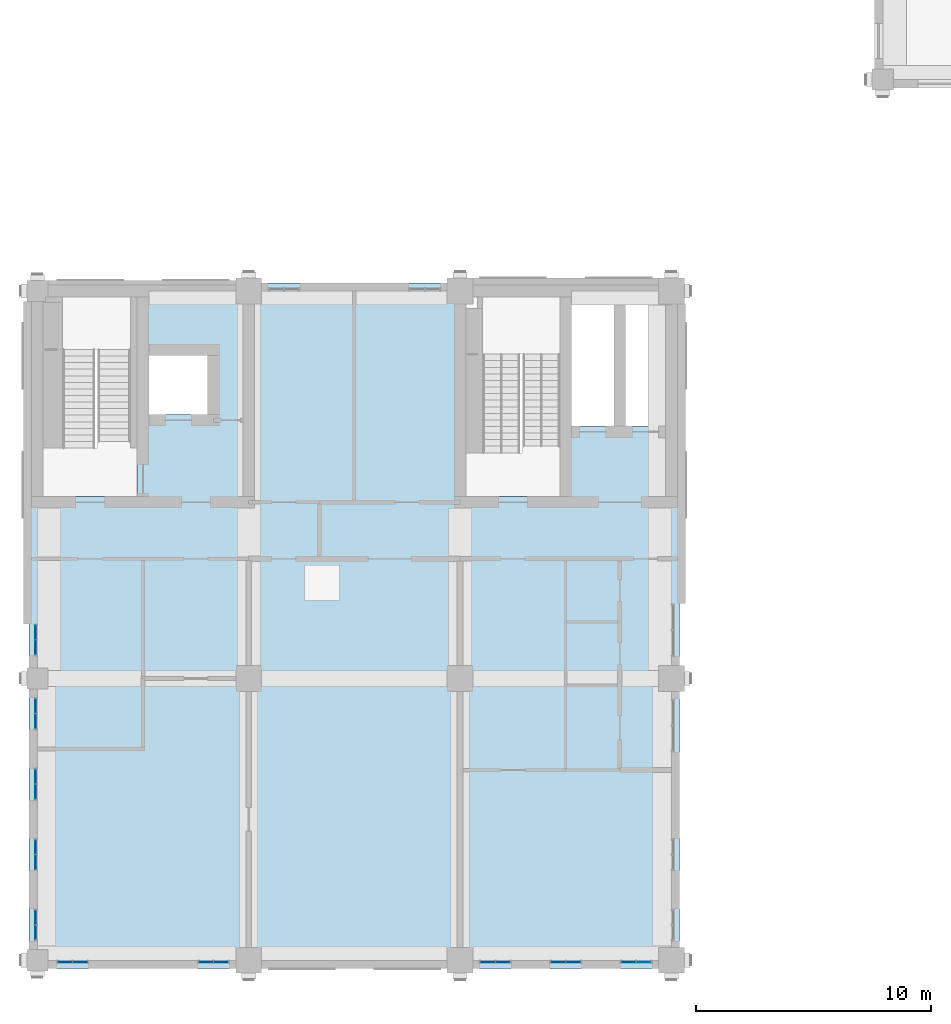
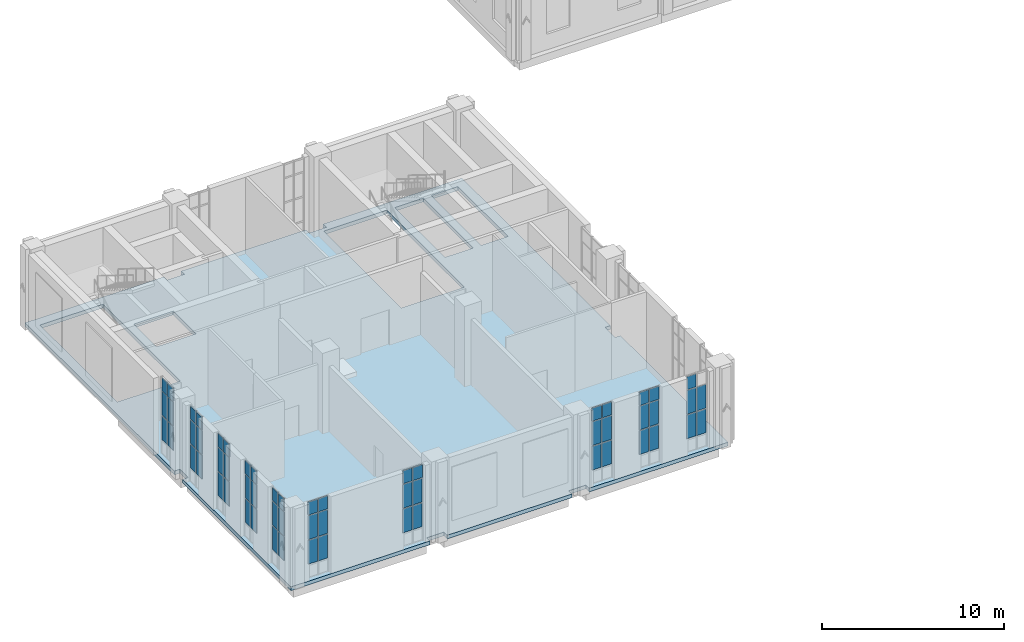
# One storey, part 17 of 39: 59 plates, 1 slab, 10 elements without a shape of their own.
"""IFC4 building model written with IfcOpenShell, lengths in metres."""

from ifc_helpers import new_model, si_unit, direction, frame, origin, origin_2d, place, context, subcontext, project, spatial, polyline, rectangle, outline, extrude, material, layer, layer_set, type_object, element, aggregate, save


model = new_model("IFC4")

# Units and contexts
model_context = context("Model", 3, precision=1e-05, world=origin(), true_north=direction((0.0, 1.0)))
body_context = subcontext(model_context, "Body", "Model", "MODEL_VIEW")
ifc_project = project(units=[si_unit("LENGTHUNIT", "METRE"), si_unit("AREAUNIT", "SQUARE_METRE"), si_unit("VOLUMEUNIT", "CUBIC_METRE"), si_unit("PLANEANGLEUNIT", "RADIAN"), si_unit("MASSUNIT", "GRAM", prefix="KILO")], contexts=[model_context])

# Site, building, storey
site_placement = place(None, origin())
site = spatial("IfcSite", under=ifc_project, at=site_placement, CompositionType="ELEMENT")
building_placement = place(site_placement, origin())
building = spatial("IfcBuilding", under=site, at=building_placement, Name="Aurelan Courthouse", CompositionType="ELEMENT")
storey_placement = place(building_placement, frame((0.0, 0.0, 28.199951171875)))
storey = spatial("IfcBuildingStorey", under=building, at=storey_placement, Name="L05", CompositionType="ELEMENT", Elevation=28.199951171875)

# Curtain wall, plates
ifc_material_1 = material(Name="Bronze-finished aluminium and glass", Category="aluminium")
ifc_layer_1 = layer(ifc_material_1, 0.14990234375)
ifc_layer_set_1 = layer_set([ifc_layer_1], Name="Bronze-finished aluminium and glass")
curtain_wall_type = type_object("IfcCurtainWallType", Name="Curtain wall 1350 x 5150", PredefinedType="NOTDEFINED", material=ifc_layer_set_1)
curtain_wall_1_placement = place(storey_placement, origin())
curtain_wall_1 = element("IfcCurtainWall", 1, at=curtain_wall_1_placement, inside=storey, type_object=curtain_wall_type, Name="Curtain wall CW-V5-L05-S01", PredefinedType="NOTDEFINED")
ifc_material_2 = material(Name="Limestone cladding", Category="masonry")
ifc_layer_2 = layer(ifc_material_2, 0.0400390625, Name="Facing")
ifc_material_3 = material(Name="Bronze sheet cladding", Category="bronze")
ifc_layer_3 = layer(ifc_material_3, 0.02001953125, Name="Back sheet")
ifc_layer_set_2 = layer_set([ifc_layer_2, ifc_layer_3], Name="Limestone cladding")
plate_type_1 = type_object("IfcPlateType", Name="Limestone spandrel panel with bronze back sheet 60", PredefinedType="CURTAIN_PANEL", material=ifc_layer_set_2)
plate_1_placement = place(storey_placement, frame((1.177490234375, -0.074951171875, 4.22998046875), z_axis=(0.0, 0.0, 1.0), x_axis=(1.0, 0.0, 0.0)))
plate_1 = element("IfcPlate", 2, at=plate_1_placement, type_object=plate_type_1, Name="CW-V5-L05-S01 spandrel panel 1.4", PredefinedType="CURTAIN_PANEL", context=body_context, shape_type="SweptSolid", body=[
    extrude(rectangle(XDim=0.5849609375, YDim=0.06005859375, at=origin_2d()), origin(), (0.0, 0.0, 1.0), 0.860107421875),
])
plate_2_placement = place(storey_placement, frame((1.822509765625, -0.074951171875, 4.22998046875), z_axis=(0.0, 0.0, 1.0), x_axis=(1.0, 0.0, 0.0)))
plate_2 = element("IfcPlate", 3, at=plate_2_placement, type_object=plate_type_1, Name="CW-V5-L05-S01 spandrel panel 2.4", PredefinedType="CURTAIN_PANEL", context=body_context, shape_type="SweptSolid", body=[
    extrude(rectangle(XDim=0.5849609375, YDim=0.06005859375, at=origin_2d()), origin(), (0.0, 0.0, 1.0), 0.860107421875),
])

curtain_wall_2_placement = place(storey_placement, origin())
curtain_wall_2 = element("IfcCurtainWall", 4, at=curtain_wall_2_placement, inside=storey, type_object=curtain_wall_type, Name="Curtain wall CW-V5-L05-S02", PredefinedType="NOTDEFINED")
plate_3_placement = place(storey_placement, frame((7.177490234375, -0.074951171875, 4.22998046875), z_axis=(0.0, 0.0, 1.0), x_axis=(1.0, 0.0, 0.0)))
plate_3 = element("IfcPlate", 5, at=plate_3_placement, type_object=plate_type_1, Name="CW-V5-L05-S02 spandrel panel 1.4", PredefinedType="CURTAIN_PANEL", context=body_context, shape_type="SweptSolid", body=[
    extrude(rectangle(XDim=0.5849609375, YDim=0.06005859375, at=origin_2d()), origin(), (0.0, 0.0, 1.0), 0.860107421875),
])
plate_4_placement = place(storey_placement, frame((7.822509765625, -0.074951171875, 4.22998046875), z_axis=(0.0, 0.0, 1.0), x_axis=(1.0, 0.0, 0.0)))
plate_4 = element("IfcPlate", 6, at=plate_4_placement, type_object=plate_type_1, Name="CW-V5-L05-S02 spandrel panel 2.4", PredefinedType="CURTAIN_PANEL", context=body_context, shape_type="SweptSolid", body=[
    extrude(rectangle(XDim=0.5849609375, YDim=0.06005859375, at=origin_2d()), origin(), (0.0, 0.0, 1.0), 0.860107421875),
])

curtain_wall_3_placement = place(storey_placement, origin())
curtain_wall_3 = element("IfcCurtainWall", 7, at=curtain_wall_3_placement, inside=storey, type_object=curtain_wall_type, Name="Curtain wall CW-V5-L05-S03", PredefinedType="NOTDEFINED")
plate_5_placement = place(storey_placement, frame((19.177490234375, -0.074951171875, 4.22998046875), z_axis=(0.0, 0.0, 1.0), x_axis=(1.0, 0.0, 0.0)))
plate_5 = element("IfcPlate", 8, at=plate_5_placement, type_object=plate_type_1, Name="CW-V5-L05-S03 spandrel panel 1.4", PredefinedType="CURTAIN_PANEL", context=body_context, shape_type="SweptSolid", body=[
    extrude(rectangle(XDim=0.5849609375, YDim=0.06005859375, at=origin_2d()), origin(), (0.0, 0.0, 1.0), 0.860107421875),
])
plate_6_placement = place(storey_placement, frame((19.822509765625, -0.074951171875, 4.22998046875), z_axis=(0.0, 0.0, 1.0), x_axis=(1.0, 0.0, 0.0)))
plate_6 = element("IfcPlate", 9, at=plate_6_placement, type_object=plate_type_1, Name="CW-V5-L05-S03 spandrel panel 2.4", PredefinedType="CURTAIN_PANEL", context=body_context, shape_type="SweptSolid", body=[
    extrude(rectangle(XDim=0.5849609375, YDim=0.06005859375, at=origin_2d()), origin(), (0.0, 0.0, 1.0), 0.860107421875),
])

curtain_wall_4_placement = place(storey_placement, origin())
curtain_wall_4 = element("IfcCurtainWall", 10, at=curtain_wall_4_placement, inside=storey, type_object=curtain_wall_type, Name="Curtain wall CW-V5-L05-S04", PredefinedType="NOTDEFINED")
plate_7_placement = place(storey_placement, frame((22.177490234375, -0.074951171875, 4.22998046875), z_axis=(0.0, 0.0, 1.0), x_axis=(1.0, 0.0, 0.0)))
plate_7 = element("IfcPlate", 11, at=plate_7_placement, type_object=plate_type_1, Name="CW-V5-L05-S04 spandrel panel 1.4", PredefinedType="CURTAIN_PANEL", context=body_context, shape_type="SweptSolid", body=[
    extrude(rectangle(XDim=0.5849609375, YDim=0.06005859375, at=origin_2d()), origin(), (0.0, 0.0, 1.0), 0.860107421875),
])
plate_8_placement = place(storey_placement, frame((22.822509765625, -0.074951171875, 4.22998046875), z_axis=(0.0, 0.0, 1.0), x_axis=(1.0, 0.0, 0.0)))
plate_8 = element("IfcPlate", 12, at=plate_8_placement, type_object=plate_type_1, Name="CW-V5-L05-S04 spandrel panel 2.4", PredefinedType="CURTAIN_PANEL", context=body_context, shape_type="SweptSolid", body=[
    extrude(rectangle(XDim=0.5849609375, YDim=0.06005859375, at=origin_2d()), origin(), (0.0, 0.0, 1.0), 0.860107421875),
])

# Curtain wall, plate
curtain_wall_5_placement = place(storey_placement, origin())
curtain_wall_5 = element("IfcCurtainWall", 13, at=curtain_wall_5_placement, inside=storey, type_object=curtain_wall_type, Name="Curtain wall CW-V5-L05-S05", PredefinedType="NOTDEFINED")
plate_9_placement = place(storey_placement, frame((25.177490234375, -0.074951171875, 4.22998046875), z_axis=(0.0, 0.0, 1.0), x_axis=(1.0, 0.0, 0.0)))
plate_9 = element("IfcPlate", 14, at=plate_9_placement, type_object=plate_type_1, Name="CW-V5-L05-S05 spandrel panel 1.4", PredefinedType="CURTAIN_PANEL", context=body_context, shape_type="SweptSolid", body=[
    extrude(rectangle(XDim=0.5849609375, YDim=0.06005859375, at=origin_2d()), origin(), (0.0, 0.0, 1.0), 0.860107421875),
])

# Curtain wall, plates
curtain_wall_6_placement = place(storey_placement, origin())
curtain_wall_6 = element("IfcCurtainWall", 15, at=curtain_wall_6_placement, inside=storey, type_object=curtain_wall_type, Name="Curtain wall CW-V5-L05-W01", PredefinedType="NOTDEFINED")
plate_10_placement = place(storey_placement, frame((-0.074951171875, 1.177490234375, 4.22998046875), z_axis=(0.0, 0.0, 1.0), x_axis=(0.0, 1.0, 0.0)))
plate_10 = element("IfcPlate", 16, at=plate_10_placement, type_object=plate_type_1, Name="CW-V5-L05-W01 spandrel panel 1.4", PredefinedType="CURTAIN_PANEL", context=body_context, shape_type="SweptSolid", body=[
    extrude(rectangle(XDim=0.5849609375, YDim=0.06005859375, at=origin_2d()), origin(), (0.0, 0.0, 1.0), 0.860107421875),
])
plate_11_placement = place(storey_placement, frame((-0.074951171875, 1.822509765625, 4.22998046875), z_axis=(0.0, 0.0, 1.0), x_axis=(0.0, 1.0, 0.0)))
plate_11 = element("IfcPlate", 17, at=plate_11_placement, type_object=plate_type_1, Name="CW-V5-L05-W01 spandrel panel 2.4", PredefinedType="CURTAIN_PANEL", context=body_context, shape_type="SweptSolid", body=[
    extrude(rectangle(XDim=0.5849609375, YDim=0.06005859375, at=origin_2d()), origin(), (0.0, 0.0, 1.0), 0.860107421875),
])

curtain_wall_7_placement = place(storey_placement, origin())
curtain_wall_7 = element("IfcCurtainWall", 18, at=curtain_wall_7_placement, inside=storey, type_object=curtain_wall_type, Name="Curtain wall CW-V5-L05-W02", PredefinedType="NOTDEFINED")
plate_12_placement = place(storey_placement, frame((-0.074951171875, 4.177490234375, 4.22998046875), z_axis=(0.0, 0.0, 1.0), x_axis=(0.0, 1.0, 0.0)))
plate_12 = element("IfcPlate", 19, at=plate_12_placement, type_object=plate_type_1, Name="CW-V5-L05-W02 spandrel panel 1.4", PredefinedType="CURTAIN_PANEL", context=body_context, shape_type="SweptSolid", body=[
    extrude(rectangle(XDim=0.5849609375, YDim=0.06005859375, at=origin_2d()), origin(), (0.0, 0.0, 1.0), 0.860107421875),
])
plate_13_placement = place(storey_placement, frame((-0.074951171875, 4.822509765625, 4.22998046875), z_axis=(0.0, 0.0, 1.0), x_axis=(0.0, 1.0, 0.0)))
plate_13 = element("IfcPlate", 20, at=plate_13_placement, type_object=plate_type_1, Name="CW-V5-L05-W02 spandrel panel 2.4", PredefinedType="CURTAIN_PANEL", context=body_context, shape_type="SweptSolid", body=[
    extrude(rectangle(XDim=0.5849609375, YDim=0.06005859375, at=origin_2d()), origin(), (0.0, 0.0, 1.0), 0.860107421875),
])

curtain_wall_8_placement = place(storey_placement, origin())
curtain_wall_8 = element("IfcCurtainWall", 21, at=curtain_wall_8_placement, inside=storey, type_object=curtain_wall_type, Name="Curtain wall CW-V5-L05-W03", PredefinedType="NOTDEFINED")
plate_14_placement = place(storey_placement, frame((-0.074951171875, 7.177490234375, 4.22998046875), z_axis=(0.0, 0.0, 1.0), x_axis=(0.0, 1.0, 0.0)))
plate_14 = element("IfcPlate", 22, at=plate_14_placement, type_object=plate_type_1, Name="CW-V5-L05-W03 spandrel panel 1.4", PredefinedType="CURTAIN_PANEL", context=body_context, shape_type="SweptSolid", body=[
    extrude(rectangle(XDim=0.5849609375, YDim=0.06005859375, at=origin_2d()), origin(), (0.0, 0.0, 1.0), 0.860107421875),
])
plate_15_placement = place(storey_placement, frame((-0.074951171875, 7.822509765625, 4.22998046875), z_axis=(0.0, 0.0, 1.0), x_axis=(0.0, 1.0, 0.0)))
plate_15 = element("IfcPlate", 23, at=plate_15_placement, type_object=plate_type_1, Name="CW-V5-L05-W03 spandrel panel 2.4", PredefinedType="CURTAIN_PANEL", context=body_context, shape_type="SweptSolid", body=[
    extrude(rectangle(XDim=0.5849609375, YDim=0.06005859375, at=origin_2d()), origin(), (0.0, 0.0, 1.0), 0.860107421875),
])

curtain_wall_9_placement = place(storey_placement, origin())
curtain_wall_9 = element("IfcCurtainWall", 24, at=curtain_wall_9_placement, inside=storey, type_object=curtain_wall_type, Name="Curtain wall CW-V5-L05-W04", PredefinedType="NOTDEFINED")
plate_16_placement = place(storey_placement, frame((-0.074951171875, 10.177490234375, 4.22998046875), z_axis=(0.0, 0.0, 1.0), x_axis=(0.0, 1.0, 0.0)))
plate_16 = element("IfcPlate", 25, at=plate_16_placement, type_object=plate_type_1, Name="CW-V5-L05-W04 spandrel panel 1.4", PredefinedType="CURTAIN_PANEL", context=body_context, shape_type="SweptSolid", body=[
    extrude(rectangle(XDim=0.5849609375, YDim=0.06005859375, at=origin_2d()), origin(), (0.0, 0.0, 1.0), 0.860107421875),
])
plate_17_placement = place(storey_placement, frame((-0.074951171875, 10.822509765625, 4.22998046875), z_axis=(0.0, 0.0, 1.0), x_axis=(0.0, 1.0, 0.0)))
plate_17 = element("IfcPlate", 26, at=plate_17_placement, type_object=plate_type_1, Name="CW-V5-L05-W04 spandrel panel 2.4", PredefinedType="CURTAIN_PANEL", context=body_context, shape_type="SweptSolid", body=[
    extrude(rectangle(XDim=0.5849609375, YDim=0.06005859375, at=origin_2d()), origin(), (0.0, 0.0, 1.0), 0.860107421875),
])

curtain_wall_10_placement = place(storey_placement, origin())
curtain_wall_10 = element("IfcCurtainWall", 27, at=curtain_wall_10_placement, inside=storey, type_object=curtain_wall_type, Name="Curtain wall CW-V5-L05-W05", PredefinedType="NOTDEFINED")
plate_18_placement = place(storey_placement, frame((-0.074951171875, 13.327392578125, 4.22998046875), z_axis=(0.0, 0.0, 1.0), x_axis=(0.0, 1.0, 0.0)))
plate_18 = element("IfcPlate", 28, at=plate_18_placement, type_object=plate_type_1, Name="CW-V5-L05-W05 spandrel panel 1.4", PredefinedType="CURTAIN_PANEL", context=body_context, shape_type="SweptSolid", body=[
    extrude(rectangle(XDim=0.5849609375, YDim=0.06005859375, at=origin_2d()), origin(), (0.0, 0.0, 1.0), 0.860107421875),
])
plate_19_placement = place(storey_placement, frame((-0.074951171875, 13.972412109375, 4.22998046875), z_axis=(0.0, 0.0, 1.0), x_axis=(0.0, 1.0, 0.0)))
plate_19 = element("IfcPlate", 29, at=plate_19_placement, type_object=plate_type_1, Name="CW-V5-L05-W05 spandrel panel 2.4", PredefinedType="CURTAIN_PANEL", context=body_context, shape_type="SweptSolid", body=[
    extrude(rectangle(XDim=0.5849609375, YDim=0.06005859375, at=origin_2d()), origin(), (0.0, 0.0, 1.0), 0.860107421875),
])

# Slab
ifc_material_4 = material(Name="Concrete C40", Category="concrete")
ifc_layer_4 = layer(ifc_material_4, 0.25)
ifc_layer_set_3 = layer_set([ifc_layer_4], Name="Concrete C40")
slab_type = type_object("IfcSlabType", Name="PT floor slab 250", PredefinedType="FLOOR", material=ifc_layer_set_3)
slab_placement = place(storey_placement, frame((0.0, 0.0, -0.25)))
element("IfcSlab", 30, at=slab_placement, inside=storey, type_object=slab_type, Name="Floor slab SL-L05-03", PredefinedType="FLOOR", context=body_context, shape_type="SweptSolid", body=[
    extrude(outline(polyline([(0.0, 12.449951171875), (0.0, 11.550048828125), (-0.35009765625, 11.550048828125), (-0.35009765625, 0.449951171875), (-0.35009765625, -0.35009765625), (0.449951171875, -0.35009765625), (8.449951171875, -0.35009765625), (8.449951171875, 0.0), (9.550048828125, 0.0), (9.550048828125, -0.35009765625), (17.449951171875, -0.35009765625), (17.449951171875, 0.0), (18.550048828125, 0.0), (18.550048828125, -0.35009765625), (26.449951171875, -0.35009765625), (27.35009765625, -0.35009765625), (27.35009765625, 0.550048828125), (27.35009765625, 11.449951171875), (27.0, 11.449951171875), (27.0, 12.550048828125), (27.35009765625, 12.550048828125), (27.35009765625, 27.949951171875), (27.35009765625, 28.85009765625), (26.449951171875, 28.85009765625), (18.550048828125, 28.85009765625), (18.550048828125, 28.5), (17.449951171875, 28.5), (17.449951171875, 28.85009765625), (9.550048828125, 28.85009765625), (9.550048828125, 28.5), (8.449951171875, 28.5), (8.449951171875, 28.85009765625), (0.449951171875, 28.85009765625), (-0.35009765625, 28.85009765625), (-0.35009765625, 28.050048828125), (-0.35009765625, 12.449951171875), (0.0, 12.449951171875)]), holes=[polyline([(26.75, 28.25), (26.75, 22.75), (25.050048828125, 22.75), (25.050048828125, 28.25), (26.75, 28.25)]), polyline([(22.75, 28.25), (24.550048828125, 28.25), (24.550048828125, 22.75), (22.75, 22.75), (22.75, 28.25)]), polyline([(22.25, 28.25), (22.25, 19.75), (18.25, 19.75), (18.25, 28.25), (22.25, 28.25)]), polyline([(4.75, 23.25), (4.75, 25.75), (7.25, 25.75), (7.25, 23.25), (4.75, 23.25)]), polyline([(4.25, 19.75), (0.25, 19.75), (0.25, 28.25), (4.25, 28.25), (4.25, 19.75)])]), origin(), (0.0, 0.0, 1.0), 0.25),
])

# Plate
ifc_material_5 = material(Name="Laminated low-emissivity glass", Category="glass")
ifc_layer_5 = layer(ifc_material_5, 0.028076171875)
ifc_layer_set_4 = layer_set([ifc_layer_5], Name="Laminated low-emissivity glass")
plate_type_2 = type_object("IfcPlateType", Name="Vision glass panel 28", PredefinedType="CURTAIN_PANEL", material=ifc_layer_set_4)
plate_20_placement = place(storey_placement, frame((1.177490234375, -0.074951171875, 0.93017578125), z_axis=(0.0, 0.0, 1.0), x_axis=(1.0, 0.0, 0.0)))
plate_20 = element("IfcPlate", 31, at=plate_20_placement, type_object=plate_type_2, Name="CW-V5-L05-S01 vision panel 1.2", PredefinedType="CURTAIN_PANEL", context=body_context, shape_type="SweptSolid", body=[
    extrude(rectangle(XDim=0.5849609375, YDim=0.028076171875, at=origin_2d()), origin(), (0.0, 0.0, 1.0), 1.590087890625),
])

plate_21_placement = place(storey_placement, frame((1.177490234375, -0.074951171875, 2.580078125), z_axis=(0.0, 0.0, 1.0), x_axis=(1.0, 0.0, 0.0)))
plate_21 = element("IfcPlate", 32, at=plate_21_placement, type_object=plate_type_2, Name="CW-V5-L05-S01 vision panel 1.3", PredefinedType="CURTAIN_PANEL", context=body_context, shape_type="SweptSolid", body=[
    extrude(rectangle(XDim=0.5849609375, YDim=0.028076171875, at=origin_2d()), origin(), (0.0, 0.0, 1.0), 1.590087890625),
])

plate_22_placement = place(storey_placement, frame((1.822509765625, -0.074951171875, 0.93017578125), z_axis=(0.0, 0.0, 1.0), x_axis=(1.0, 0.0, 0.0)))
plate_22 = element("IfcPlate", 33, at=plate_22_placement, type_object=plate_type_2, Name="CW-V5-L05-S01 vision panel 2.2", PredefinedType="CURTAIN_PANEL", context=body_context, shape_type="SweptSolid", body=[
    extrude(rectangle(XDim=0.5849609375, YDim=0.028076171875, at=origin_2d()), origin(), (0.0, 0.0, 1.0), 1.590087890625),
])

plate_23_placement = place(storey_placement, frame((1.822509765625, -0.074951171875, 2.580078125), z_axis=(0.0, 0.0, 1.0), x_axis=(1.0, 0.0, 0.0)))
plate_23 = element("IfcPlate", 34, at=plate_23_placement, type_object=plate_type_2, Name="CW-V5-L05-S01 vision panel 2.3", PredefinedType="CURTAIN_PANEL", context=body_context, shape_type="SweptSolid", body=[
    extrude(rectangle(XDim=0.5849609375, YDim=0.028076171875, at=origin_2d()), origin(), (0.0, 0.0, 1.0), 1.590087890625),
])

aggregate(curtain_wall_1, [plate_20, plate_21, plate_1, plate_22, plate_23, plate_2])

plate_24_placement = place(storey_placement, frame((7.177490234375, -0.074951171875, 0.93017578125), z_axis=(0.0, 0.0, 1.0), x_axis=(1.0, 0.0, 0.0)))
plate_24 = element("IfcPlate", 35, at=plate_24_placement, type_object=plate_type_2, Name="CW-V5-L05-S02 vision panel 1.2", PredefinedType="CURTAIN_PANEL", context=body_context, shape_type="SweptSolid", body=[
    extrude(rectangle(XDim=0.5849609375, YDim=0.028076171875, at=origin_2d()), origin(), (0.0, 0.0, 1.0), 1.590087890625),
])

plate_25_placement = place(storey_placement, frame((7.177490234375, -0.074951171875, 2.580078125), z_axis=(0.0, 0.0, 1.0), x_axis=(1.0, 0.0, 0.0)))
plate_25 = element("IfcPlate", 36, at=plate_25_placement, type_object=plate_type_2, Name="CW-V5-L05-S02 vision panel 1.3", PredefinedType="CURTAIN_PANEL", context=body_context, shape_type="SweptSolid", body=[
    extrude(rectangle(XDim=0.5849609375, YDim=0.028076171875, at=origin_2d()), origin(), (0.0, 0.0, 1.0), 1.590087890625),
])

plate_26_placement = place(storey_placement, frame((7.822509765625, -0.074951171875, 0.93017578125), z_axis=(0.0, 0.0, 1.0), x_axis=(1.0, 0.0, 0.0)))
plate_26 = element("IfcPlate", 37, at=plate_26_placement, type_object=plate_type_2, Name="CW-V5-L05-S02 vision panel 2.2", PredefinedType="CURTAIN_PANEL", context=body_context, shape_type="SweptSolid", body=[
    extrude(rectangle(XDim=0.5849609375, YDim=0.028076171875, at=origin_2d()), origin(), (0.0, 0.0, 1.0), 1.590087890625),
])

plate_27_placement = place(storey_placement, frame((7.822509765625, -0.074951171875, 2.580078125), z_axis=(0.0, 0.0, 1.0), x_axis=(1.0, 0.0, 0.0)))
plate_27 = element("IfcPlate", 38, at=plate_27_placement, type_object=plate_type_2, Name="CW-V5-L05-S02 vision panel 2.3", PredefinedType="CURTAIN_PANEL", context=body_context, shape_type="SweptSolid", body=[
    extrude(rectangle(XDim=0.5849609375, YDim=0.028076171875, at=origin_2d()), origin(), (0.0, 0.0, 1.0), 1.590087890625),
])

aggregate(curtain_wall_2, [plate_24, plate_25, plate_3, plate_26, plate_27, plate_4])

plate_28_placement = place(storey_placement, frame((19.177490234375, -0.074951171875, 0.93017578125), z_axis=(0.0, 0.0, 1.0), x_axis=(1.0, 0.0, 0.0)))
plate_28 = element("IfcPlate", 39, at=plate_28_placement, type_object=plate_type_2, Name="CW-V5-L05-S03 vision panel 1.2", PredefinedType="CURTAIN_PANEL", context=body_context, shape_type="SweptSolid", body=[
    extrude(rectangle(XDim=0.5849609375, YDim=0.028076171875, at=origin_2d()), origin(), (0.0, 0.0, 1.0), 1.590087890625),
])

plate_29_placement = place(storey_placement, frame((19.177490234375, -0.074951171875, 2.580078125), z_axis=(0.0, 0.0, 1.0), x_axis=(1.0, 0.0, 0.0)))
plate_29 = element("IfcPlate", 40, at=plate_29_placement, type_object=plate_type_2, Name="CW-V5-L05-S03 vision panel 1.3", PredefinedType="CURTAIN_PANEL", context=body_context, shape_type="SweptSolid", body=[
    extrude(rectangle(XDim=0.5849609375, YDim=0.028076171875, at=origin_2d()), origin(), (0.0, 0.0, 1.0), 1.590087890625),
])

plate_30_placement = place(storey_placement, frame((19.822509765625, -0.074951171875, 0.93017578125), z_axis=(0.0, 0.0, 1.0), x_axis=(1.0, 0.0, 0.0)))
plate_30 = element("IfcPlate", 41, at=plate_30_placement, type_object=plate_type_2, Name="CW-V5-L05-S03 vision panel 2.2", PredefinedType="CURTAIN_PANEL", context=body_context, shape_type="SweptSolid", body=[
    extrude(rectangle(XDim=0.5849609375, YDim=0.028076171875, at=origin_2d()), origin(), (0.0, 0.0, 1.0), 1.590087890625),
])

plate_31_placement = place(storey_placement, frame((19.822509765625, -0.074951171875, 2.580078125), z_axis=(0.0, 0.0, 1.0), x_axis=(1.0, 0.0, 0.0)))
plate_31 = element("IfcPlate", 42, at=plate_31_placement, type_object=plate_type_2, Name="CW-V5-L05-S03 vision panel 2.3", PredefinedType="CURTAIN_PANEL", context=body_context, shape_type="SweptSolid", body=[
    extrude(rectangle(XDim=0.5849609375, YDim=0.028076171875, at=origin_2d()), origin(), (0.0, 0.0, 1.0), 1.590087890625),
])

aggregate(curtain_wall_3, [plate_28, plate_29, plate_5, plate_30, plate_31, plate_6])

plate_32_placement = place(storey_placement, frame((22.177490234375, -0.074951171875, 0.93017578125), z_axis=(0.0, 0.0, 1.0), x_axis=(1.0, 0.0, 0.0)))
plate_32 = element("IfcPlate", 43, at=plate_32_placement, type_object=plate_type_2, Name="CW-V5-L05-S04 vision panel 1.2", PredefinedType="CURTAIN_PANEL", context=body_context, shape_type="SweptSolid", body=[
    extrude(rectangle(XDim=0.5849609375, YDim=0.028076171875, at=origin_2d()), origin(), (0.0, 0.0, 1.0), 1.590087890625),
])

plate_33_placement = place(storey_placement, frame((22.177490234375, -0.074951171875, 2.580078125), z_axis=(0.0, 0.0, 1.0), x_axis=(1.0, 0.0, 0.0)))
plate_33 = element("IfcPlate", 44, at=plate_33_placement, type_object=plate_type_2, Name="CW-V5-L05-S04 vision panel 1.3", PredefinedType="CURTAIN_PANEL", context=body_context, shape_type="SweptSolid", body=[
    extrude(rectangle(XDim=0.5849609375, YDim=0.028076171875, at=origin_2d()), origin(), (0.0, 0.0, 1.0), 1.590087890625),
])

plate_34_placement = place(storey_placement, frame((22.822509765625, -0.074951171875, 0.93017578125), z_axis=(0.0, 0.0, 1.0), x_axis=(1.0, 0.0, 0.0)))
plate_34 = element("IfcPlate", 45, at=plate_34_placement, type_object=plate_type_2, Name="CW-V5-L05-S04 vision panel 2.2", PredefinedType="CURTAIN_PANEL", context=body_context, shape_type="SweptSolid", body=[
    extrude(rectangle(XDim=0.5849609375, YDim=0.028076171875, at=origin_2d()), origin(), (0.0, 0.0, 1.0), 1.590087890625),
])

plate_35_placement = place(storey_placement, frame((22.822509765625, -0.074951171875, 2.580078125), z_axis=(0.0, 0.0, 1.0), x_axis=(1.0, 0.0, 0.0)))
plate_35 = element("IfcPlate", 46, at=plate_35_placement, type_object=plate_type_2, Name="CW-V5-L05-S04 vision panel 2.3", PredefinedType="CURTAIN_PANEL", context=body_context, shape_type="SweptSolid", body=[
    extrude(rectangle(XDim=0.5849609375, YDim=0.028076171875, at=origin_2d()), origin(), (0.0, 0.0, 1.0), 1.590087890625),
])

aggregate(curtain_wall_4, [plate_32, plate_33, plate_7, plate_34, plate_35, plate_8])

plate_36_placement = place(storey_placement, frame((25.177490234375, -0.074951171875, 0.93017578125), z_axis=(0.0, 0.0, 1.0), x_axis=(1.0, 0.0, 0.0)))
plate_36 = element("IfcPlate", 47, at=plate_36_placement, type_object=plate_type_2, Name="CW-V5-L05-S05 vision panel 1.2", PredefinedType="CURTAIN_PANEL", context=body_context, shape_type="SweptSolid", body=[
    extrude(rectangle(XDim=0.5849609375, YDim=0.028076171875, at=origin_2d()), origin(), (0.0, 0.0, 1.0), 1.590087890625),
])

plate_37_placement = place(storey_placement, frame((25.177490234375, -0.074951171875, 2.580078125), z_axis=(0.0, 0.0, 1.0), x_axis=(1.0, 0.0, 0.0)))
plate_37 = element("IfcPlate", 48, at=plate_37_placement, type_object=plate_type_2, Name="CW-V5-L05-S05 vision panel 1.3", PredefinedType="CURTAIN_PANEL", context=body_context, shape_type="SweptSolid", body=[
    extrude(rectangle(XDim=0.5849609375, YDim=0.028076171875, at=origin_2d()), origin(), (0.0, 0.0, 1.0), 1.590087890625),
])

plate_38_placement = place(storey_placement, frame((25.822509765625, -0.074951171875, 0.93017578125), z_axis=(0.0, 0.0, 1.0), x_axis=(1.0, 0.0, 0.0)))
plate_38 = element("IfcPlate", 49, at=plate_38_placement, type_object=plate_type_2, Name="CW-V5-L05-S05 vision panel 2.2", PredefinedType="CURTAIN_PANEL", context=body_context, shape_type="SweptSolid", body=[
    extrude(rectangle(XDim=0.5849609375, YDim=0.028076171875, at=origin_2d()), origin(), (0.0, 0.0, 1.0), 1.590087890625),
])

plate_39_placement = place(storey_placement, frame((25.822509765625, -0.074951171875, 2.580078125), z_axis=(0.0, 0.0, 1.0), x_axis=(1.0, 0.0, 0.0)))
plate_39 = element("IfcPlate", 50, at=plate_39_placement, type_object=plate_type_2, Name="CW-V5-L05-S05 vision panel 2.3", PredefinedType="CURTAIN_PANEL", context=body_context, shape_type="SweptSolid", body=[
    extrude(rectangle(XDim=0.5849609375, YDim=0.028076171875, at=origin_2d()), origin(), (0.0, 0.0, 1.0), 1.590087890625),
])

aggregate(curtain_wall_5, [plate_36, plate_37, plate_9, plate_38, plate_39])

plate_40_placement = place(storey_placement, frame((-0.074951171875, 1.177490234375, 0.93017578125), z_axis=(0.0, 0.0, 1.0), x_axis=(0.0, 1.0, 0.0)))
plate_40 = element("IfcPlate", 51, at=plate_40_placement, type_object=plate_type_2, Name="CW-V5-L05-W01 vision panel 1.2", PredefinedType="CURTAIN_PANEL", context=body_context, shape_type="SweptSolid", body=[
    extrude(rectangle(XDim=0.5849609375, YDim=0.028076171875, at=origin_2d()), origin(), (0.0, 0.0, 1.0), 1.590087890625),
])

plate_41_placement = place(storey_placement, frame((-0.074951171875, 1.177490234375, 2.580078125), z_axis=(0.0, 0.0, 1.0), x_axis=(0.0, 1.0, 0.0)))
plate_41 = element("IfcPlate", 52, at=plate_41_placement, type_object=plate_type_2, Name="CW-V5-L05-W01 vision panel 1.3", PredefinedType="CURTAIN_PANEL", context=body_context, shape_type="SweptSolid", body=[
    extrude(rectangle(XDim=0.5849609375, YDim=0.028076171875, at=origin_2d()), origin(), (0.0, 0.0, 1.0), 1.590087890625),
])

plate_42_placement = place(storey_placement, frame((-0.074951171875, 1.822509765625, 0.93017578125), z_axis=(0.0, 0.0, 1.0), x_axis=(0.0, 1.0, 0.0)))
plate_42 = element("IfcPlate", 53, at=plate_42_placement, type_object=plate_type_2, Name="CW-V5-L05-W01 vision panel 2.2", PredefinedType="CURTAIN_PANEL", context=body_context, shape_type="SweptSolid", body=[
    extrude(rectangle(XDim=0.5849609375, YDim=0.028076171875, at=origin_2d()), origin(), (0.0, 0.0, 1.0), 1.590087890625),
])

plate_43_placement = place(storey_placement, frame((-0.074951171875, 1.822509765625, 2.580078125), z_axis=(0.0, 0.0, 1.0), x_axis=(0.0, 1.0, 0.0)))
plate_43 = element("IfcPlate", 54, at=plate_43_placement, type_object=plate_type_2, Name="CW-V5-L05-W01 vision panel 2.3", PredefinedType="CURTAIN_PANEL", context=body_context, shape_type="SweptSolid", body=[
    extrude(rectangle(XDim=0.5849609375, YDim=0.028076171875, at=origin_2d()), origin(), (0.0, 0.0, 1.0), 1.590087890625),
])

aggregate(curtain_wall_6, [plate_40, plate_41, plate_10, plate_42, plate_43, plate_11])

plate_44_placement = place(storey_placement, frame((-0.074951171875, 4.177490234375, 0.93017578125), z_axis=(0.0, 0.0, 1.0), x_axis=(0.0, 1.0, 0.0)))
plate_44 = element("IfcPlate", 55, at=plate_44_placement, type_object=plate_type_2, Name="CW-V5-L05-W02 vision panel 1.2", PredefinedType="CURTAIN_PANEL", context=body_context, shape_type="SweptSolid", body=[
    extrude(rectangle(XDim=0.5849609375, YDim=0.028076171875, at=origin_2d()), origin(), (0.0, 0.0, 1.0), 1.590087890625),
])

plate_45_placement = place(storey_placement, frame((-0.074951171875, 4.177490234375, 2.580078125), z_axis=(0.0, 0.0, 1.0), x_axis=(0.0, 1.0, 0.0)))
plate_45 = element("IfcPlate", 56, at=plate_45_placement, type_object=plate_type_2, Name="CW-V5-L05-W02 vision panel 1.3", PredefinedType="CURTAIN_PANEL", context=body_context, shape_type="SweptSolid", body=[
    extrude(rectangle(XDim=0.5849609375, YDim=0.028076171875, at=origin_2d()), origin(), (0.0, 0.0, 1.0), 1.590087890625),
])

plate_46_placement = place(storey_placement, frame((-0.074951171875, 4.822509765625, 0.93017578125), z_axis=(0.0, 0.0, 1.0), x_axis=(0.0, 1.0, 0.0)))
plate_46 = element("IfcPlate", 57, at=plate_46_placement, type_object=plate_type_2, Name="CW-V5-L05-W02 vision panel 2.2", PredefinedType="CURTAIN_PANEL", context=body_context, shape_type="SweptSolid", body=[
    extrude(rectangle(XDim=0.5849609375, YDim=0.028076171875, at=origin_2d()), origin(), (0.0, 0.0, 1.0), 1.590087890625),
])

plate_47_placement = place(storey_placement, frame((-0.074951171875, 4.822509765625, 2.580078125), z_axis=(0.0, 0.0, 1.0), x_axis=(0.0, 1.0, 0.0)))
plate_47 = element("IfcPlate", 58, at=plate_47_placement, type_object=plate_type_2, Name="CW-V5-L05-W02 vision panel 2.3", PredefinedType="CURTAIN_PANEL", context=body_context, shape_type="SweptSolid", body=[
    extrude(rectangle(XDim=0.5849609375, YDim=0.028076171875, at=origin_2d()), origin(), (0.0, 0.0, 1.0), 1.590087890625),
])

aggregate(curtain_wall_7, [plate_44, plate_45, plate_12, plate_46, plate_47, plate_13])

plate_48_placement = place(storey_placement, frame((-0.074951171875, 7.177490234375, 0.93017578125), z_axis=(0.0, 0.0, 1.0), x_axis=(0.0, 1.0, 0.0)))
plate_48 = element("IfcPlate", 59, at=plate_48_placement, type_object=plate_type_2, Name="CW-V5-L05-W03 vision panel 1.2", PredefinedType="CURTAIN_PANEL", context=body_context, shape_type="SweptSolid", body=[
    extrude(rectangle(XDim=0.5849609375, YDim=0.028076171875, at=origin_2d()), origin(), (0.0, 0.0, 1.0), 1.590087890625),
])

plate_49_placement = place(storey_placement, frame((-0.074951171875, 7.177490234375, 2.580078125), z_axis=(0.0, 0.0, 1.0), x_axis=(0.0, 1.0, 0.0)))
plate_49 = element("IfcPlate", 60, at=plate_49_placement, type_object=plate_type_2, Name="CW-V5-L05-W03 vision panel 1.3", PredefinedType="CURTAIN_PANEL", context=body_context, shape_type="SweptSolid", body=[
    extrude(rectangle(XDim=0.5849609375, YDim=0.028076171875, at=origin_2d()), origin(), (0.0, 0.0, 1.0), 1.590087890625),
])

plate_50_placement = place(storey_placement, frame((-0.074951171875, 7.822509765625, 0.93017578125), z_axis=(0.0, 0.0, 1.0), x_axis=(0.0, 1.0, 0.0)))
plate_50 = element("IfcPlate", 61, at=plate_50_placement, type_object=plate_type_2, Name="CW-V5-L05-W03 vision panel 2.2", PredefinedType="CURTAIN_PANEL", context=body_context, shape_type="SweptSolid", body=[
    extrude(rectangle(XDim=0.5849609375, YDim=0.028076171875, at=origin_2d()), origin(), (0.0, 0.0, 1.0), 1.590087890625),
])

plate_51_placement = place(storey_placement, frame((-0.074951171875, 7.822509765625, 2.580078125), z_axis=(0.0, 0.0, 1.0), x_axis=(0.0, 1.0, 0.0)))
plate_51 = element("IfcPlate", 62, at=plate_51_placement, type_object=plate_type_2, Name="CW-V5-L05-W03 vision panel 2.3", PredefinedType="CURTAIN_PANEL", context=body_context, shape_type="SweptSolid", body=[
    extrude(rectangle(XDim=0.5849609375, YDim=0.028076171875, at=origin_2d()), origin(), (0.0, 0.0, 1.0), 1.590087890625),
])

aggregate(curtain_wall_8, [plate_48, plate_49, plate_14, plate_50, plate_51, plate_15])

plate_52_placement = place(storey_placement, frame((-0.074951171875, 10.177490234375, 0.93017578125), z_axis=(0.0, 0.0, 1.0), x_axis=(0.0, 1.0, 0.0)))
plate_52 = element("IfcPlate", 63, at=plate_52_placement, type_object=plate_type_2, Name="CW-V5-L05-W04 vision panel 1.2", PredefinedType="CURTAIN_PANEL", context=body_context, shape_type="SweptSolid", body=[
    extrude(rectangle(XDim=0.5849609375, YDim=0.028076171875, at=origin_2d()), origin(), (0.0, 0.0, 1.0), 1.590087890625),
])

plate_53_placement = place(storey_placement, frame((-0.074951171875, 10.177490234375, 2.580078125), z_axis=(0.0, 0.0, 1.0), x_axis=(0.0, 1.0, 0.0)))
plate_53 = element("IfcPlate", 64, at=plate_53_placement, type_object=plate_type_2, Name="CW-V5-L05-W04 vision panel 1.3", PredefinedType="CURTAIN_PANEL", context=body_context, shape_type="SweptSolid", body=[
    extrude(rectangle(XDim=0.5849609375, YDim=0.028076171875, at=origin_2d()), origin(), (0.0, 0.0, 1.0), 1.590087890625),
])

plate_54_placement = place(storey_placement, frame((-0.074951171875, 10.822509765625, 0.93017578125), z_axis=(0.0, 0.0, 1.0), x_axis=(0.0, 1.0, 0.0)))
plate_54 = element("IfcPlate", 65, at=plate_54_placement, type_object=plate_type_2, Name="CW-V5-L05-W04 vision panel 2.2", PredefinedType="CURTAIN_PANEL", context=body_context, shape_type="SweptSolid", body=[
    extrude(rectangle(XDim=0.5849609375, YDim=0.028076171875, at=origin_2d()), origin(), (0.0, 0.0, 1.0), 1.590087890625),
])

plate_55_placement = place(storey_placement, frame((-0.074951171875, 10.822509765625, 2.580078125), z_axis=(0.0, 0.0, 1.0), x_axis=(0.0, 1.0, 0.0)))
plate_55 = element("IfcPlate", 66, at=plate_55_placement, type_object=plate_type_2, Name="CW-V5-L05-W04 vision panel 2.3", PredefinedType="CURTAIN_PANEL", context=body_context, shape_type="SweptSolid", body=[
    extrude(rectangle(XDim=0.5849609375, YDim=0.028076171875, at=origin_2d()), origin(), (0.0, 0.0, 1.0), 1.590087890625),
])

aggregate(curtain_wall_9, [plate_52, plate_53, plate_16, plate_54, plate_55, plate_17])

plate_56_placement = place(storey_placement, frame((-0.074951171875, 13.327392578125, 0.93017578125), z_axis=(0.0, 0.0, 1.0), x_axis=(0.0, 1.0, 0.0)))
plate_56 = element("IfcPlate", 67, at=plate_56_placement, type_object=plate_type_2, Name="CW-V5-L05-W05 vision panel 1.2", PredefinedType="CURTAIN_PANEL", context=body_context, shape_type="SweptSolid", body=[
    extrude(rectangle(XDim=0.5849609375, YDim=0.028076171875, at=origin_2d()), origin(), (0.0, 0.0, 1.0), 1.590087890625),
])

plate_57_placement = place(storey_placement, frame((-0.074951171875, 13.327392578125, 2.580078125), z_axis=(0.0, 0.0, 1.0), x_axis=(0.0, 1.0, 0.0)))
plate_57 = element("IfcPlate", 68, at=plate_57_placement, type_object=plate_type_2, Name="CW-V5-L05-W05 vision panel 1.3", PredefinedType="CURTAIN_PANEL", context=body_context, shape_type="SweptSolid", body=[
    extrude(rectangle(XDim=0.5849609375, YDim=0.028076171875, at=origin_2d()), origin(), (0.0, 0.0, 1.0), 1.590087890625),
])

plate_58_placement = place(storey_placement, frame((-0.074951171875, 13.972412109375, 0.93017578125), z_axis=(0.0, 0.0, 1.0), x_axis=(0.0, 1.0, 0.0)))
plate_58 = element("IfcPlate", 69, at=plate_58_placement, type_object=plate_type_2, Name="CW-V5-L05-W05 vision panel 2.2", PredefinedType="CURTAIN_PANEL", context=body_context, shape_type="SweptSolid", body=[
    extrude(rectangle(XDim=0.5849609375, YDim=0.028076171875, at=origin_2d()), origin(), (0.0, 0.0, 1.0), 1.590087890625),
])

plate_59_placement = place(storey_placement, frame((-0.074951171875, 13.972412109375, 2.580078125), z_axis=(0.0, 0.0, 1.0), x_axis=(0.0, 1.0, 0.0)))
plate_59 = element("IfcPlate", 70, at=plate_59_placement, type_object=plate_type_2, Name="CW-V5-L05-W05 vision panel 2.3", PredefinedType="CURTAIN_PANEL", context=body_context, shape_type="SweptSolid", body=[
    extrude(rectangle(XDim=0.5849609375, YDim=0.028076171875, at=origin_2d()), origin(), (0.0, 0.0, 1.0), 1.590087890625),
])

aggregate(curtain_wall_10, [plate_56, plate_57, plate_18, plate_58, plate_59, plate_19])

save(model, "model.ifc")
